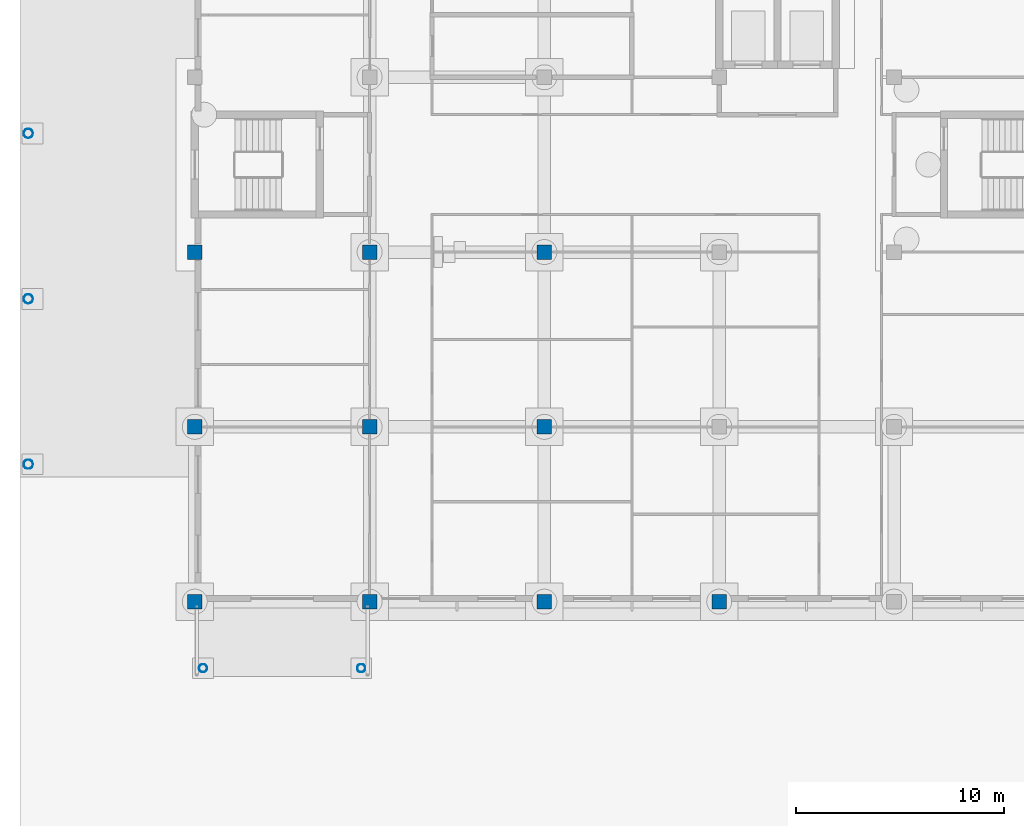
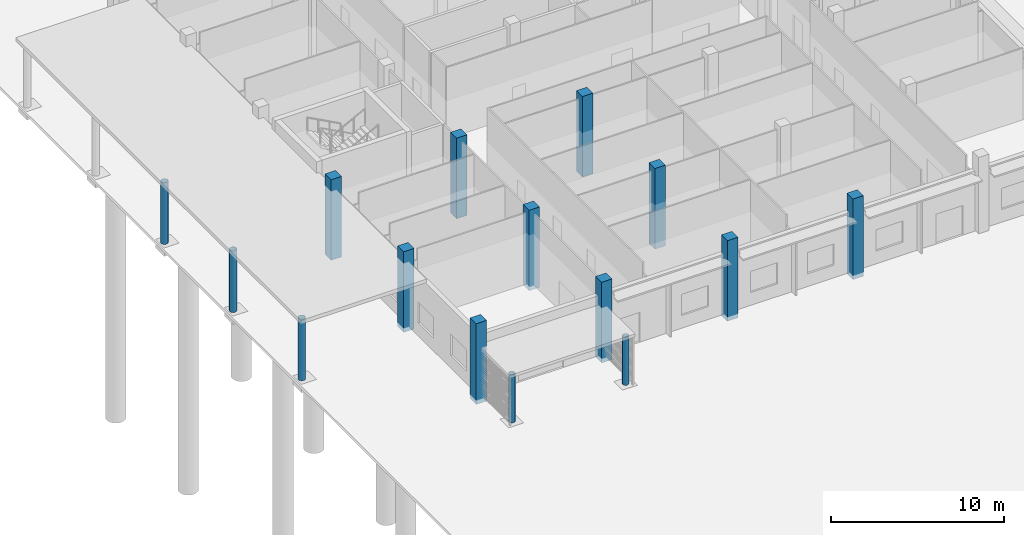
# One storey, part 11 of 146: 15 columns.
"""IFC4 building model written with IfcOpenShell, lengths in metres."""

from ifc_helpers import new_model, si_unit, direction, frame, origin, origin_2d, place, context, subcontext, project, spatial, rectangle, hollow_circle, extrude, material, material_profile, profile_set, type_object, element, save


model = new_model("IFC4")

# Units and contexts
model_context = context("Model", 3, precision=1e-05, world=origin(), true_north=direction((0.0, 1.0)))
body_context = subcontext(model_context, "Body", "Model", "MODEL_VIEW")
ifc_project = project(units=[si_unit("LENGTHUNIT", "METRE"), si_unit("AREAUNIT", "SQUARE_METRE"), si_unit("VOLUMEUNIT", "CUBIC_METRE"), si_unit("PLANEANGLEUNIT", "RADIAN"), si_unit("MASSUNIT", "GRAM", prefix="KILO")], contexts=[model_context])

# Site, building, storey
site_placement = place(None, origin())
site = spatial("IfcSite", under=ifc_project, at=site_placement, CompositionType="ELEMENT")
building_placement = place(site_placement, origin())
building = spatial("IfcBuilding", under=site, at=building_placement, Name="Bougainvillea Quay General Hospital", CompositionType="ELEMENT")
storey_placement = place(building_placement, origin())
storey = spatial("IfcBuildingStorey", under=building, at=storey_placement, Name="L00", CompositionType="ELEMENT", Elevation=0.0)

# Columns
ifc_material_1 = material(Name="Structural steel Q355 hollow section", Category="steel")
ifc_material_profile_1 = material_profile(ifc_material_1, hollow_circle(Radius=0.199951171875, WallThickness=0.011962890625, at=origin_2d()))
ifc_profile_set_1 = profile_set([ifc_material_profile_1], Name="Structural steel Q355 hollow section")
column_type_1 = type_object("IfcColumnType", Name="Canopy post CHS 400", PredefinedType="COLUMN", material=ifc_profile_set_1)
for number, where, z_axis, x_axis, name in (
    (1, (8.800048828125, 30.39990234375, 0.0), (0.0, 0.0, 1.0), (1.0, 0.0, 0.0), "Canopy post post 1"),
    (2, (16.39990234375, 30.39990234375, 0.0), (0.0, 0.0, 1.0), (1.0, 0.0, 0.0), "Canopy post post 2"),
):
    element("IfcColumn", number, at=place(storey_placement, frame(where, z_axis=z_axis, x_axis=x_axis)), inside=storey, type_object=column_type_1, Name=name, PredefinedType="COLUMN", context=body_context, shape_type="SweptSolid", body=[
        extrude(hollow_circle(Radius=0.199951171875, WallThickness=0.011962890625, at=origin_2d()), origin(), (0.0, 0.0, 1.0), 3.39990234375),
    ])
ifc_material_profile_2 = material_profile(ifc_material_1, hollow_circle(Radius=0.22509765625, WallThickness=0.011962890625, at=origin_2d()))
ifc_profile_set_2 = profile_set([ifc_material_profile_2], Name="Structural steel Q355 hollow section")
column_type_2 = type_object("IfcColumnType", Name="Canopy post CHS 450", PredefinedType="COLUMN", material=ifc_profile_set_2)
for number, where, z_axis, x_axis, name in (
    (3, (0.39990234375, 40.199951171875, 0.0), (0.0, 0.0, 1.0), (1.0, 0.0, 0.0), "Canopy post post 1"),
    (4, (0.39990234375, 48.14990234375, 0.0), (0.0, 0.0, 1.0), (1.0, 0.0, 0.0), "Canopy post post 2"),
    (5, (0.39990234375, 56.10009765625, 0.0), (0.0, 0.0, 1.0), (1.0, 0.0, 0.0), "Canopy post post 3"),
):
    element("IfcColumn", number, at=place(storey_placement, frame(where, z_axis=z_axis, x_axis=x_axis)), inside=storey, type_object=column_type_2, Name=name, PredefinedType="COLUMN", context=body_context, shape_type="SweptSolid", body=[
        extrude(hollow_circle(Radius=0.22509765625, WallThickness=0.011962890625, at=origin_2d()), origin(), (0.0, 0.0, 1.0), 4.35009765625),
    ])
ifc_material_2 = material(Name="Concrete C50", Category="concrete")
ifc_material_profile_3 = material_profile(ifc_material_2, rectangle(XDim=0.699951171875, YDim=0.699951171875, at=origin_2d()))
ifc_profile_set_3 = profile_set([ifc_material_profile_3], Name="Concrete C50")
column_type_3 = type_object("IfcColumnType", Name="RC COL 700x700 C50", PredefinedType="COLUMN", material=ifc_profile_set_3)
for number, where, z_axis, x_axis, name in (
    (6, (8.39990234375, 33.60009765625, -0.300048828125), (0.0, 0.0, 1.0), (1.0, 0.0, 0.0), "Column C-V2-00 L00"),
    (7, (8.39990234375, 42.0, -0.300048828125), (0.0, 0.0, 1.0), (1.0, 0.0, 0.0), "Column C-V2-01 L00"),
    (8, (8.39990234375, 50.39990234375, -0.300048828125), (0.0, 0.0, 1.0), (1.0, 0.0, 0.0), "Column C-V2-02 L00"),
    (9, (16.800048828125, 33.60009765625, -0.300048828125), (0.0, 0.0, 1.0), (1.0, 0.0, 0.0), "Column C-V2-10 L00"),
    (10, (16.800048828125, 42.0, -0.300048828125), (0.0, 0.0, 1.0), (1.0, 0.0, 0.0), "Column C-V2-11 L00"),
    (11, (16.800048828125, 50.39990234375, -0.300048828125), (0.0, 0.0, 1.0), (1.0, 0.0, 0.0), "Column C-V2-12 L00"),
    (12, (25.199951171875, 33.60009765625, -0.300048828125), (0.0, 0.0, 1.0), (1.0, 0.0, 0.0), "Column C-V2-20 L00"),
    (13, (25.199951171875, 42.0, -0.300048828125), (0.0, 0.0, 1.0), (1.0, 0.0, 0.0), "Column C-V2-21 L00"),
    (14, (25.199951171875, 50.39990234375, -0.300048828125), (0.0, 0.0, 1.0), (1.0, 0.0, 0.0), "Column C-V2-22 L00"),
    (15, (33.60009765625, 33.60009765625, -0.300048828125), (0.0, 0.0, 1.0), (1.0, 0.0, 0.0), "Column C-V2-30 L00"),
):
    element("IfcColumn", number, at=place(storey_placement, frame(where, z_axis=z_axis, x_axis=x_axis)), inside=storey, type_object=column_type_3, Name=name, PredefinedType="COLUMN", context=body_context, shape_type="SweptSolid", body=[
        extrude(rectangle(XDim=0.699951171875, YDim=0.699951171875, at=origin_2d()), origin(), (0.0, 0.0, 1.0), 5.699951171875),
    ])

save(model, "model.ifc")
